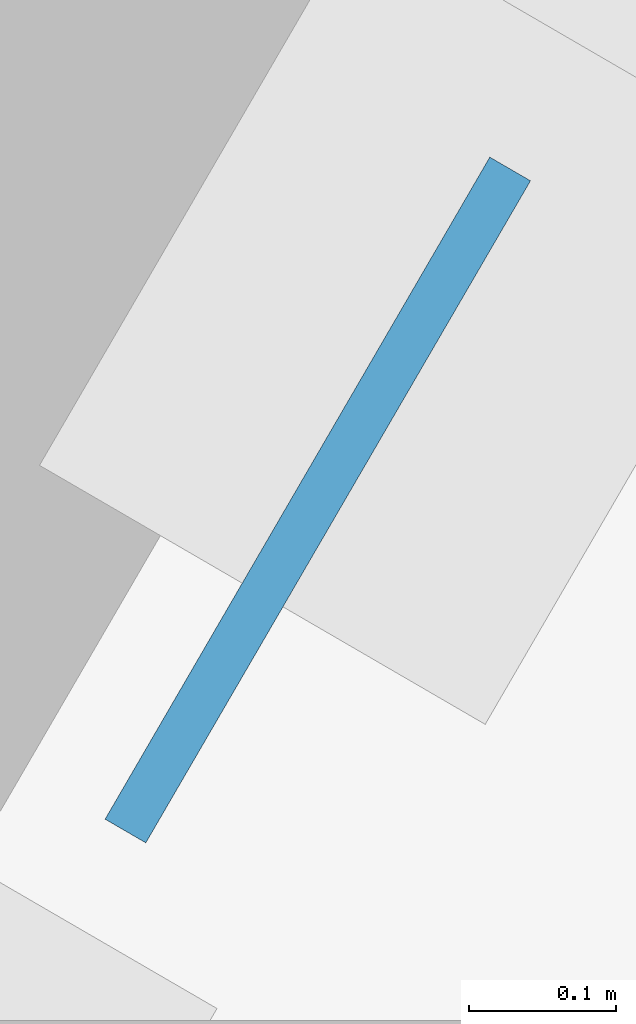
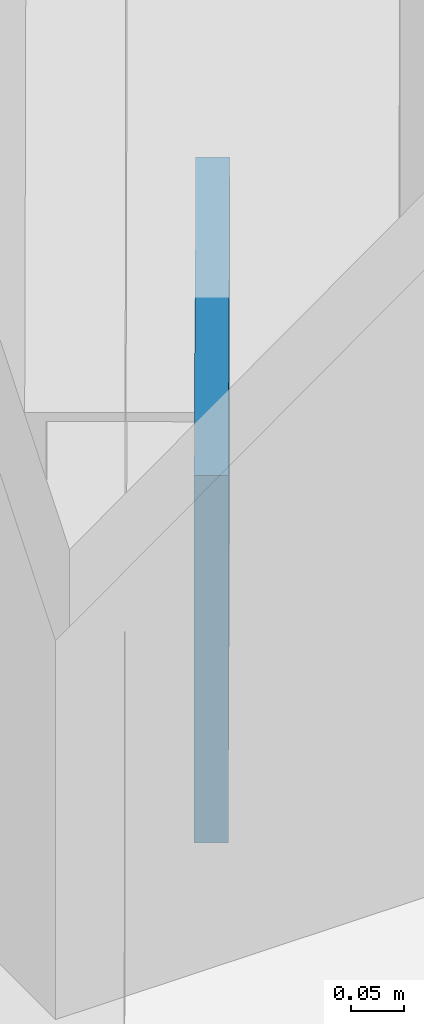
# One storey, part 5 of 12: 1 plate.
"""IFC4 building model written with IfcOpenShell, lengths in metres."""

from ifc_helpers import new_model, si_unit, direction, frame, origin, origin_2d, place, context, subcontext, project, spatial, rectangle, extrude, material, layer, layer_set, type_object, element, save


model = new_model("IFC4")

# Units and contexts
model_context = context("Model", 3, precision=1e-05, world=origin(), true_north=direction((0.0, 1.0)))
body_context = subcontext(model_context, "Body", "Model", "MODEL_VIEW")
ifc_project = project(units=[si_unit("LENGTHUNIT", "METRE"), si_unit("AREAUNIT", "SQUARE_METRE"), si_unit("VOLUMEUNIT", "CUBIC_METRE"), si_unit("PLANEANGLEUNIT", "RADIAN"), si_unit("MASSUNIT", "GRAM", prefix="KILO")], contexts=[model_context])

# Site, building, storey
site_placement = place(None, origin())
site = spatial("IfcSite", under=ifc_project, at=site_placement, CompositionType="ELEMENT")
building_placement = place(site_placement, origin())
building = spatial("IfcBuilding", under=site, at=building_placement, Name="Kavelnor Concourse Tower", CompositionType="ELEMENT")
storey_placement = place(building_placement, frame((0.0, 0.0, 6.0)))
storey = spatial("IfcBuildingStorey", under=building, at=storey_placement, Name="L01", CompositionType="ELEMENT", Elevation=6.0)

# Plate
ifc_material = material(Name="Steel Grade 350", Category="steel")
ifc_layer = layer(ifc_material, 0.031982421875, Name="Steel Grade 350")
ifc_layer_set = layer_set([ifc_layer], Name="Steel Grade 350")
plate_type = type_object("IfcPlateType", Name="PL-GUSSET-TUBE-Z1", PredefinedType="USERDEFINED", material=ifc_layer_set)
plate_placement = place(storey_placement, frame((21.581298828125, 29.28369140625, 0.010009765625), z_axis=(0.0, 0.0, 1.0), x_axis=(0.502416446459, 0.864625765478, 0.0)))
element("IfcPlate", 1, at=plate_placement, inside=storey, type_object=plate_type, Name="L01 Tube Brace Gusset GP3 F0-B2 End Gusset A", ObjectType="GUSSET_PLATE", PredefinedType="USERDEFINED", context=body_context, shape_type="SweptSolid", body=[
    extrude(rectangle(XDim=0.52001953125, YDim=0.031982421875, at=origin_2d()), origin(), (0.0, 0.0, 1.0), 0.419921875),
])

save(model, "model.ifc")
